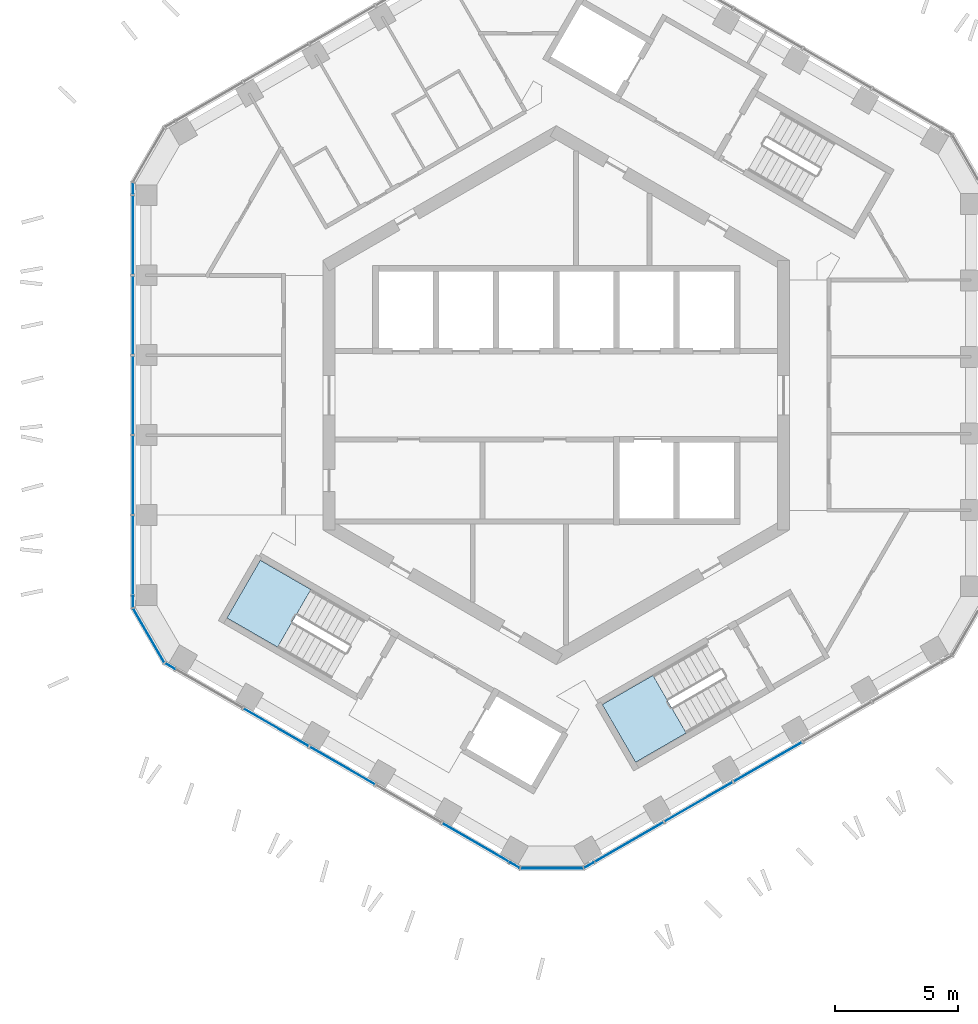
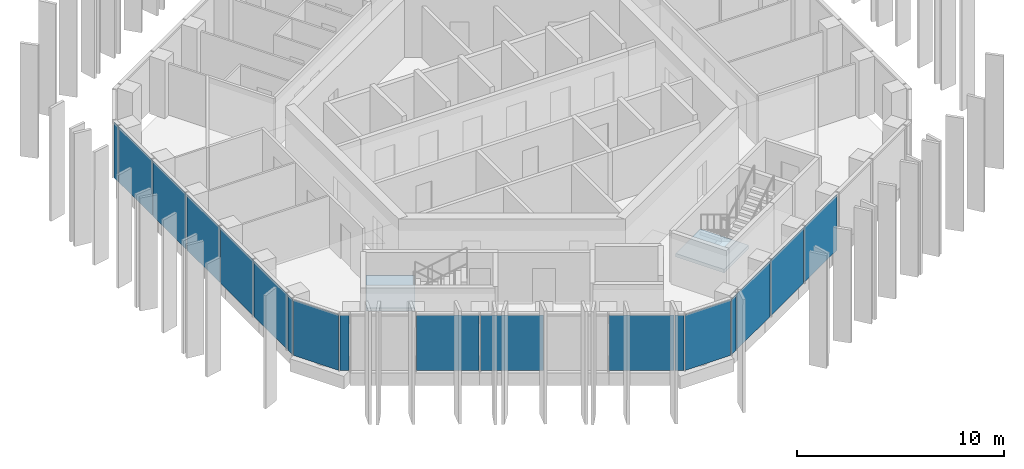
# One storey, part 8 of 18: 18 plates, 2 slabs, 8 elements without a shape of their own.
"""IFC4 building model written with IfcOpenShell, lengths in metres."""

from ifc_helpers import new_model, si_unit, direction, frame, origin, origin_2d, place, context, subcontext, project, spatial, polyline, rectangle, outline, extrude, material, layer, layer_set, type_object, element, aggregate, save


model = new_model("IFC4")

# Units and contexts
model_context = context("Model", 3, precision=1e-05, world=origin(), true_north=direction((0.0, 1.0)))
body_context = subcontext(model_context, "Body", "Model", "MODEL_VIEW")
ifc_project = project(units=[si_unit("LENGTHUNIT", "METRE"), si_unit("AREAUNIT", "SQUARE_METRE"), si_unit("VOLUMEUNIT", "CUBIC_METRE"), si_unit("PLANEANGLEUNIT", "RADIAN"), si_unit("MASSUNIT", "GRAM", prefix="KILO")], contexts=[model_context])

# Site, building, storey
site_placement = place(None, origin())
site = spatial("IfcSite", under=ifc_project, at=site_placement, CompositionType="ELEMENT")
building_placement = place(site_placement, origin())
building = spatial("IfcBuilding", under=site, at=building_placement, Name="Ayvan Gate Tower", CompositionType="ELEMENT")
storey_placement = place(building_placement, frame((0.0, 0.0, 229.10009765625)))
storey = spatial("IfcBuildingStorey", under=building, at=storey_placement, Name="L61", CompositionType="ELEMENT", Elevation=229.10009765625)

# Stair, slab
ifc_material_1 = material(Name="Concrete C40/50", Category="concrete")
stair_type = type_object("IfcStairType", Name="ST-EXIT", PredefinedType="HALF_TURN_STAIR", material=ifc_material_1)
stair_1_placement = place(storey_placement, origin())
stair_1 = element("IfcStair", 1, at=stair_1_placement, inside=storey, type_object=stair_type, Name="L61 Exit Stair S2", PredefinedType="HALF_TURN_STAIR")
ifc_layer_1 = layer(ifc_material_1, 0.199951171875)
ifc_layer_set_1 = layer_set([ifc_layer_1], Name="Concrete C40/50")
slab_type = type_object("IfcSlabType", Name="SL-LANDING-200", PredefinedType="LANDING", material=ifc_layer_set_1)
slab_1_placement = place(storey_placement, frame((0.0, 0.0, 1.5)))
slab_1 = element("IfcSlab", 2, at=slab_1_placement, type_object=slab_type, Name="STS2 landing 1", PredefinedType="LANDING", context=body_context, shape_type="SweptSolid", body=[
    extrude(outline(polyline([(-9.988525390625, -7.91064453125), (-12.049560546875, -6.720458984375), (-13.404541015625, -9.0673828125), (-11.343505859375, -10.257568359375), (-9.988525390625, -7.91064453125)])), origin(), (0.0, 0.0, 1.0), 0.199951171875),
])
aggregate(stair_1, [slab_1])

stair_2_placement = place(storey_placement, origin())
stair_2 = element("IfcStair", 3, at=stair_2_placement, inside=storey, type_object=stair_type, Name="L61 Exit Stair S3", PredefinedType="HALF_TURN_STAIR")
slab_2_placement = place(storey_placement, frame((0.0, 0.0, 1.5)))
slab_2 = element("IfcSlab", 4, at=slab_2_placement, type_object=slab_type, Name="STS3 landing 1", PredefinedType="LANDING", context=body_context, shape_type="SweptSolid", body=[
    extrude(outline(polyline([(3.93505859375, -11.405517578125), (1.873779296875, -12.595458984375), (3.228759765625, -14.9423828125), (5.2900390625, -13.75244140625), (3.93505859375, -11.405517578125)])), origin(), (0.0, 0.0, 1.0), 0.199951171875),
])
aggregate(stair_2, [slab_2])

# Curtain wall, plates
ifc_material_2 = material(Name="Bronze anodised aluminium", Category="aluminium")
ifc_layer_2 = layer(ifc_material_2, 0.199951171875)
ifc_layer_set_2 = layer_set([ifc_layer_2], Name="Bronze anodised aluminium")
curtain_wall_type_1 = type_object("IfcCurtainWallType", Name="Stick curtain wall CW-2", PredefinedType="NOTDEFINED", material=ifc_layer_set_2)
curtain_wall_1_placement = place(storey_placement, origin())
curtain_wall_1 = element("IfcCurtainWall", 5, at=curtain_wall_1_placement, inside=storey, type_object=curtain_wall_type_1, Name="Stick curtain wall CW-2 L61", PredefinedType="NOTDEFINED")
ifc_material_3 = material(Name="Clear low-iron laminated glass", Category="glass")
ifc_layer_3 = layer(ifc_material_3, 0.028076171875)
ifc_layer_set_3 = layer_set([ifc_layer_3], Name="Clear low-iron laminated glass")
plate_type_1 = type_object("IfcPlateType", Name="Stick curtain wall CW-2 glass panel", PredefinedType="CURTAIN_PANEL", material=ifc_layer_set_3)
plate_1_placement = place(storey_placement, frame((-17.234375, 6.536376953125, 0.0), z_axis=(0.0, 0.0, 1.0), x_axis=(0.0, -1.0, 0.0)))
plate_1 = element("IfcPlate", 6, at=plate_1_placement, type_object=plate_type_1, Name="CW-2 glass panel 1", PredefinedType="CURTAIN_PANEL", context=body_context, shape_type="SweptSolid", body=[
    extrude(rectangle(XDim=3.237060546875, YDim=0.028076171875, at=origin_2d()), origin(), (0.0, 0.0, 1.0), 3.280029296875),
])
plate_2_placement = place(storey_placement, frame((-17.234375, 3.25537109375, 0.0), z_axis=(0.0, 0.0, 1.0), x_axis=(0.0, -1.0, 0.0)))
plate_2 = element("IfcPlate", 7, at=plate_2_placement, type_object=plate_type_1, Name="CW-2 glass panel 2", PredefinedType="CURTAIN_PANEL", context=body_context, shape_type="SweptSolid", body=[
    extrude(rectangle(XDim=3.18505859375, YDim=0.028076171875, at=origin_2d()), origin(), (0.0, 0.0, 1.0), 3.280029296875),
])
plate_3_placement = place(storey_placement, frame((-17.234375, 0.000244140625, 0.0), z_axis=(0.0, 0.0, 1.0), x_axis=(0.0, -1.0, 0.0)))
plate_3 = element("IfcPlate", 8, at=plate_3_placement, type_object=plate_type_1, Name="CW-2 glass panel 3", PredefinedType="CURTAIN_PANEL", context=body_context, shape_type="SweptSolid", body=[
    extrude(rectangle(XDim=3.18505859375, YDim=0.028076171875, at=origin_2d()), origin(), (0.0, 0.0, 1.0), 3.280029296875),
])
plate_4_placement = place(storey_placement, frame((-17.234375, -3.255126953125, 0.0), z_axis=(0.0, 0.0, 1.0), x_axis=(0.0, -1.0, 0.0)))
plate_4 = element("IfcPlate", 9, at=plate_4_placement, type_object=plate_type_1, Name="CW-2 glass panel 4", PredefinedType="CURTAIN_PANEL", context=body_context, shape_type="SweptSolid", body=[
    extrude(rectangle(XDim=3.18603515625, YDim=0.028076171875, at=origin_2d()), origin(), (0.0, 0.0, 1.0), 3.280029296875),
])
plate_5_placement = place(storey_placement, frame((-17.234375, -6.53662109375, 0.0), z_axis=(0.0, 0.0, 1.0), x_axis=(0.0, -1.0, 0.0)))
plate_5 = element("IfcPlate", 10, at=plate_5_placement, type_object=plate_type_1, Name="CW-2 glass panel 5", PredefinedType="CURTAIN_PANEL", context=body_context, shape_type="SweptSolid", body=[
    extrude(rectangle(XDim=3.23681640625, YDim=0.028076171875, at=origin_2d()), origin(), (0.0, 0.0, 1.0), 3.280029296875),
])
aggregate(curtain_wall_1, [plate_1, plate_2, plate_3, plate_4, plate_5])

curtain_wall_2_placement = place(storey_placement, origin())
curtain_wall_2 = element("IfcCurtainWall", 11, at=curtain_wall_2_placement, inside=storey, type_object=curtain_wall_type_1, Name="Stick curtain wall CW-2 L61", PredefinedType="NOTDEFINED")
plate_6_placement = place(storey_placement, frame((-11.400390625, -13.524169921875, 0.0), z_axis=(0.0, 0.0, 1.0), x_axis=(0.866025403784, -0.5, 0.0)))
plate_6 = element("IfcPlate", 12, at=plate_6_placement, type_object=plate_type_1, Name="CW-2 glass panel 2", PredefinedType="CURTAIN_PANEL", context=body_context, shape_type="SweptSolid", body=[
    extrude(rectangle(XDim=3.041015625, YDim=0.028076171875, at=origin_2d()), origin(), (0.0, 0.0, 1.0), 3.280029296875),
])
plate_7_placement = place(storey_placement, frame((-8.706298828125, -15.07958984375, 0.0), z_axis=(0.0, 0.0, 1.0), x_axis=(0.866025403784, -0.5, 0.0)))
plate_7 = element("IfcPlate", 13, at=plate_7_placement, type_object=plate_type_1, Name="CW-2 glass panel 3", PredefinedType="CURTAIN_PANEL", context=body_context, shape_type="SweptSolid", body=[
    extrude(rectangle(XDim=3.041015625, YDim=0.028076171875, at=origin_2d()), origin(), (0.0, 0.0, 1.0), 3.280029296875),
])
plate_8_placement = place(storey_placement, frame((-3.272705078125, -18.216552734375, 0.0), z_axis=(0.0, 0.0, 1.0), x_axis=(0.866025403784, -0.5, 0.0)))
plate_8 = element("IfcPlate", 14, at=plate_8_placement, type_object=plate_type_1, Name="CW-2 glass panel 5", PredefinedType="CURTAIN_PANEL", context=body_context, shape_type="SweptSolid", body=[
    extrude(rectangle(XDim=3.14501953125, YDim=0.028076171875, at=origin_2d()), origin(), (0.0, 0.0, 1.0), 3.280029296875),
])
aggregate(curtain_wall_2, [plate_6, plate_7, plate_8])

curtain_wall_3_placement = place(storey_placement, origin())
curtain_wall_3 = element("IfcCurtainWall", 15, at=curtain_wall_3_placement, inside=storey, type_object=curtain_wall_type_1, Name="Stick curtain wall CW-2 L61", PredefinedType="NOTDEFINED")
plate_9_placement = place(storey_placement, frame((2.95654296875, -18.193603515625, 0.0), z_axis=(0.0, 0.0, 1.0), x_axis=(0.866025403784, 0.5, 0.0)))
plate_9 = element("IfcPlate", 16, at=plate_9_placement, type_object=plate_type_1, Name="CW-2 glass panel 1", PredefinedType="CURTAIN_PANEL", context=body_context, shape_type="SweptSolid", body=[
    extrude(rectangle(XDim=3.237060546875, YDim=0.028076171875, at=origin_2d()), origin(), (0.0, 0.0, 1.0), 3.280029296875),
])
plate_10_placement = place(storey_placement, frame((5.798095703125, -16.55322265625, 0.0), z_axis=(0.0, 0.0, 1.0), x_axis=(0.866025403784, 0.5, 0.0)))
plate_10 = element("IfcPlate", 17, at=plate_10_placement, type_object=plate_type_1, Name="CW-2 glass panel 2", PredefinedType="CURTAIN_PANEL", context=body_context, shape_type="SweptSolid", body=[
    extrude(rectangle(XDim=3.18505859375, YDim=0.028076171875, at=origin_2d()), origin(), (0.0, 0.0, 1.0), 3.280029296875),
])
plate_11_placement = place(storey_placement, frame((8.616943359375, -14.925537109375, 0.0), z_axis=(0.0, 0.0, 1.0), x_axis=(0.866025403784, 0.5, 0.0)))
plate_11 = element("IfcPlate", 18, at=plate_11_placement, type_object=plate_type_1, Name="CW-2 glass panel 3", PredefinedType="CURTAIN_PANEL", context=body_context, shape_type="SweptSolid", body=[
    extrude(rectangle(XDim=3.18505859375, YDim=0.028076171875, at=origin_2d()), origin(), (0.0, 0.0, 1.0), 3.280029296875),
])
aggregate(curtain_wall_3, [plate_9, plate_10, plate_11])

# Curtain wall, plate
ifc_layer_4 = layer(ifc_material_2, 0.199951171875)
ifc_layer_set_4 = layer_set([ifc_layer_4], Name="Bronze anodised aluminium")
curtain_wall_type_2 = type_object("IfcCurtainWallType", Name="Stick curtain wall CW-6", PredefinedType="NOTDEFINED", material=ifc_layer_set_4)
curtain_wall_4_placement = place(storey_placement, origin())
curtain_wall_4 = element("IfcCurtainWall", 19, at=curtain_wall_4_placement, inside=storey, type_object=curtain_wall_type_2, Name="Stick curtain wall CW-6 L61", PredefinedType="NOTDEFINED")
ifc_layer_5 = layer(ifc_material_3, 0.028076171875)
ifc_layer_set_5 = layer_set([ifc_layer_5], Name="Clear low-iron laminated glass")
plate_type_2 = type_object("IfcPlateType", Name="Stick curtain wall CW-6 glass panel", PredefinedType="CURTAIN_PANEL", material=ifc_layer_set_5)
plate_12_placement = place(storey_placement, frame((-17.234375, 8.414794921875, 0.0), z_axis=(0.0, 0.0, 1.0), x_axis=(0.0, -1.0, 0.0)))
plate_12 = element("IfcPlate", 20, at=plate_12_placement, type_object=plate_type_2, Name="CW-6 glass panel 3", PredefinedType="CURTAIN_PANEL", context=body_context, shape_type="SweptSolid", body=[
    extrude(rectangle(XDim=0.449951171875, YDim=0.028076171875, at=origin_2d()), origin(), (0.0, 0.0, 1.0), 3.280029296875),
])
aggregate(curtain_wall_4, [plate_12])

# Curtain wall, plates
curtain_wall_5_placement = place(storey_placement, origin())
curtain_wall_5 = element("IfcCurtainWall", 21, at=curtain_wall_5_placement, inside=storey, type_object=curtain_wall_type_2, Name="Stick curtain wall CW-6 L61", PredefinedType="NOTDEFINED")
plate_13_placement = place(storey_placement, frame((-17.234375, -8.414794921875, 0.0), z_axis=(0.0, 0.0, 1.0), x_axis=(0.0, -1.0, 0.0)))
plate_13 = element("IfcPlate", 22, at=plate_13_placement, type_object=plate_type_2, Name="CW-6 glass panel 1", PredefinedType="CURTAIN_PANEL", context=body_context, shape_type="SweptSolid", body=[
    extrude(rectangle(XDim=0.449951171875, YDim=0.028076171875, at=origin_2d()), origin(), (0.0, 0.0, 1.0), 3.280029296875),
])
plate_14_placement = place(storey_placement, frame((-16.5888671875, -9.783203125, 0.0), z_axis=(0.0, 0.0, 1.0), x_axis=(0.5, -0.866025403784, 0.0)))
plate_14 = element("IfcPlate", 23, at=plate_14_placement, type_object=plate_type_2, Name="CW-6 glass panel 2", PredefinedType="CURTAIN_PANEL", context=body_context, shape_type="SweptSolid", body=[
    extrude(rectangle(XDim=2.532470703125, YDim=0.028076171875, at=origin_2d()), origin(), (0.0, 0.0, 1.0), 3.280029296875),
])
plate_15_placement = place(storey_placement, frame((-15.7265625, -11.0263671875, 0.0), z_axis=(0.0, 0.0, 1.0), x_axis=(0.866025403784, -0.5, 0.0)))
plate_15 = element("IfcPlate", 24, at=plate_15_placement, type_object=plate_type_2, Name="CW-6 glass panel 3", PredefinedType="CURTAIN_PANEL", context=body_context, shape_type="SweptSolid", body=[
    extrude(rectangle(XDim=0.449951171875, YDim=0.028076171875, at=origin_2d()), origin(), (0.0, 0.0, 1.0), 3.280029296875),
])
aggregate(curtain_wall_5, [plate_13, plate_14, plate_15])

curtain_wall_6_placement = place(storey_placement, origin())
curtain_wall_6 = element("IfcCurtainWall", 25, at=curtain_wall_6_placement, inside=storey, type_object=curtain_wall_type_2, Name="Stick curtain wall CW-6 L61", PredefinedType="NOTDEFINED")
plate_16_placement = place(storey_placement, frame((-1.685791015625, -19.1328125, 0.0), z_axis=(0.0, 0.0, 1.0), x_axis=(0.866025403784, -0.5, 0.0)))
plate_16 = element("IfcPlate", 26, at=plate_16_placement, type_object=plate_type_2, Name="CW-6 glass panel 1", PredefinedType="CURTAIN_PANEL", context=body_context, shape_type="SweptSolid", body=[
    extrude(rectangle(XDim=0.449951171875, YDim=0.028076171875, at=origin_2d()), origin(), (0.0, 0.0, 1.0), 3.280029296875),
])
plate_17_placement = place(storey_placement, frame((-0.177978515625, -19.2578125, 0.0), z_axis=(0.0, 0.0, 1.0), x_axis=(1.0, 0.0, 0.0)))
plate_17 = element("IfcPlate", 27, at=plate_17_placement, type_object=plate_type_2, Name="CW-6 glass panel 2", PredefinedType="CURTAIN_PANEL", context=body_context, shape_type="SweptSolid", body=[
    extrude(rectangle(XDim=2.532470703125, YDim=0.028076171875, at=origin_2d()), origin(), (0.0, 0.0, 1.0), 3.280029296875),
])
plate_18_placement = place(storey_placement, frame((1.329833984375, -19.1328125, 0.0), z_axis=(0.0, 0.0, 1.0), x_axis=(0.866025403784, 0.5, 0.0)))
plate_18 = element("IfcPlate", 28, at=plate_18_placement, type_object=plate_type_2, Name="CW-6 glass panel 3", PredefinedType="CURTAIN_PANEL", context=body_context, shape_type="SweptSolid", body=[
    extrude(rectangle(XDim=0.449951171875, YDim=0.028076171875, at=origin_2d()), origin(), (0.0, 0.0, 1.0), 3.280029296875),
])
aggregate(curtain_wall_6, [plate_16, plate_17, plate_18])

save(model, "model.ifc")
